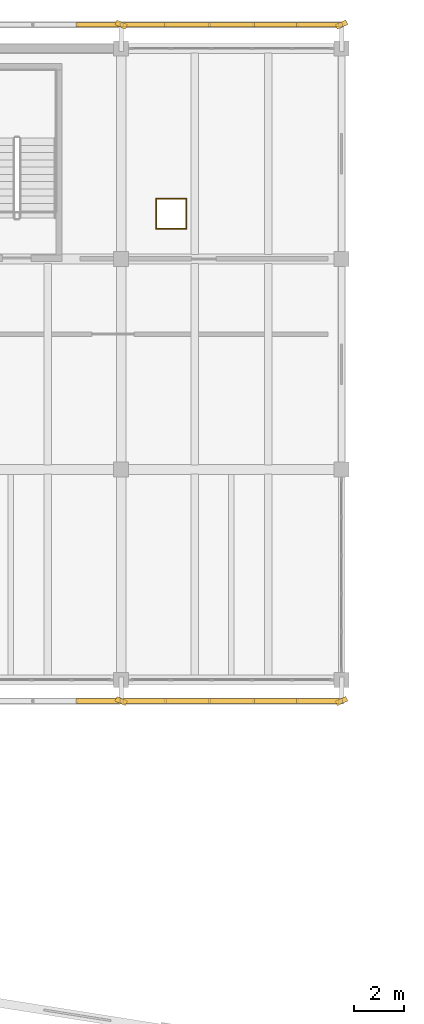
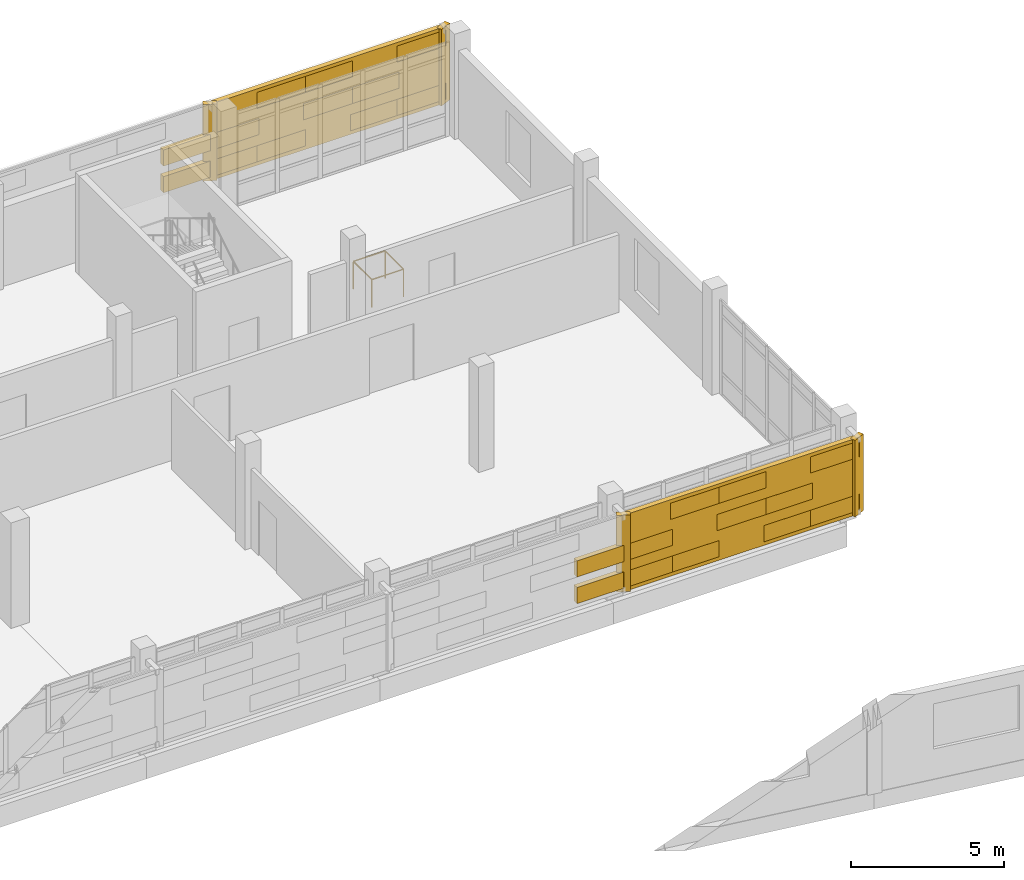
# One storey, part 137 of 137: 28 coverings, 4 railings, 2 shading devices.
"""IFC4 building model written with IfcOpenShell, lengths in metres."""

from ifc_helpers import new_model, si_unit, direction, frame, origin, origin_2d, place, context, subcontext, project, spatial, rectangle, circle, extrude, material, layer, layer_set, type_object, element, save


model = new_model("IFC4")

# Units and contexts
model_context = context("Model", 3, precision=1e-05, world=origin(), true_north=direction((0.0, 1.0)))
body_context = subcontext(model_context, "Body", "Model", "MODEL_VIEW")
ifc_project = project(units=[si_unit("LENGTHUNIT", "METRE"), si_unit("AREAUNIT", "SQUARE_METRE"), si_unit("VOLUMEUNIT", "CUBIC_METRE"), si_unit("PLANEANGLEUNIT", "RADIAN"), si_unit("MASSUNIT", "GRAM", prefix="KILO")], contexts=[model_context])

# Site, building, storey
site_placement = place(None, origin())
site = spatial("IfcSite", under=ifc_project, at=site_placement, CompositionType="ELEMENT")
building_placement = place(site_placement, origin())
building = spatial("IfcBuilding", under=site, at=building_placement, Name="Cinderway Yard Community Centre", CompositionType="ELEMENT")
storey_placement = place(building_placement, frame((0.0, 0.0, 4.800048828125)))
storey = spatial("IfcBuildingStorey", under=building, at=storey_placement, Name="L01", CompositionType="ELEMENT", Elevation=4.800048828125)

# Coverings
ifc_material_1 = material(Name="Brick Masonry", Category="masonry")
ifc_layer = layer(ifc_material_1, 0.18994140625, Name="Brick Masonry")
ifc_layer_set = layer_set([ifc_layer], Name="Brick Masonry")
covering_type = type_object("IfcCoveringType", Name="ENV-COV-BRK-SCREEN", PredefinedType="CLADDING", material=ifc_layer_set)
for number, where, z_axis, x_axis, name in (
    (1, (136.800048828125, 116.14990234375, 0.64990234375), (0.0, 0.0, 1.0), (0.913545457643, -0.406736643076, 0.0), "Deconstructivist folded brick fin 0012"),
    (2, (145.60009765625, 116.14990234375, 0.64990234375), (0.0, 0.0, 1.0), (0.913545457643, 0.406736643076, 0.0), "Deconstructivist folded brick fin 0013"),
):
    element("IfcCovering", number, at=place(storey_placement, frame(where, z_axis=z_axis, x_axis=x_axis)), inside=storey, type_object=covering_type, Name=name, PredefinedType="CLADDING", context=body_context, shape_type="SweptSolid", body=[
        extrude(rectangle(XDim=0.4599609375, YDim=0.199951171875, at=origin_2d()), origin(), (0.0, 0.0, 1.0), 3.050048828125),
    ])
for number, where, z_axis, x_axis, name in (
    (3, (135.919921875, 116.14990234375, 0.7900390625), (0.0, 0.0, 1.0), (1.0, 0.0, 0.0), "Open-bond perforated brick screen course 00116"),
    (4, (135.919921875, 116.14990234375, 1.85205078125), (0.0, 0.0, 1.0), (1.0, 0.0, 0.0), "Open-bond perforated brick screen course 00120"),
    (5, (137.679931640625, 116.14990234375, 0.7900390625), (0.0, 0.0, 1.0), (1.0, 0.0, 0.0), "Open-bond perforated brick screen course 00124"),
    (6, (139.43994140625, 116.14990234375, 0.7900390625), (0.0, 0.0, 1.0), (1.0, 0.0, 0.0), "Open-bond perforated brick screen course 00125"),
    (7, (142.9599609375, 116.14990234375, 0.7900390625), (0.0, 0.0, 1.0), (1.0, 0.0, 0.0), "Open-bond perforated brick screen course 00126"),
    (8, (144.719970703125, 116.14990234375, 0.7900390625), (0.0, 0.0, 1.0), (1.0, 0.0, 0.0), "Open-bond perforated brick screen course 00127"),
    (9, (137.679931640625, 116.14990234375, 1.85205078125), (0.0, 0.0, 1.0), (1.0, 0.0, 0.0), "Open-bond perforated brick screen course 00128"),
    (10, (141.199951171875, 116.14990234375, 1.85205078125), (0.0, 0.0, 1.0), (1.0, 0.0, 0.0), "Open-bond perforated brick screen course 00129"),
    (11, (142.9599609375, 116.14990234375, 1.85205078125), (0.0, 0.0, 1.0), (1.0, 0.0, 0.0), "Open-bond perforated brick screen course 00130"),
    (12, (139.43994140625, 116.14990234375, 2.9140625), (0.0, 0.0, 1.0), (1.0, 0.0, 0.0), "Open-bond perforated brick screen course 00131"),
    (13, (141.199951171875, 116.14990234375, 2.9140625), (0.0, 0.0, 1.0), (1.0, 0.0, 0.0), "Open-bond perforated brick screen course 00132"),
    (14, (144.719970703125, 116.14990234375, 2.9140625), (0.0, 0.0, 1.0), (1.0, 0.0, 0.0), "Open-bond perforated brick screen course 00133"),
):
    element("IfcCovering", number, at=place(storey_placement, frame(where, z_axis=z_axis, x_axis=x_axis)), inside=storey, type_object=covering_type, Name=name, PredefinedType="CLADDING", context=body_context, shape_type="SweptSolid", body=[
        extrude(rectangle(XDim=1.840087890625, YDim=0.18994140625, at=origin_2d()), origin(), (0.0, 0.0, 1.0), 0.64599609375),
    ])
for number, where, z_axis, x_axis, name in (
    (15, (136.800048828125, 89.14990234375, 0.64990234375), (0.0, 0.0, 1.0), (-0.913545457643, 0.406736643076, 0.0), "Deconstructivist folded brick fin 0445"),
    (16, (145.60009765625, 89.14990234375, 0.64990234375), (0.0, 0.0, 1.0), (-0.913545457643, -0.406736643076, 0.0), "Deconstructivist folded brick fin 0446"),
):
    element("IfcCovering", number, at=place(storey_placement, frame(where, z_axis=z_axis, x_axis=x_axis)), inside=storey, type_object=covering_type, Name=name, PredefinedType="CLADDING", context=body_context, shape_type="SweptSolid", body=[
        extrude(rectangle(XDim=0.4599609375, YDim=0.199951171875, at=origin_2d()), origin(), (0.0, 0.0, 1.0), 3.050048828125),
    ])
for number, where, z_axis, x_axis, name in (
    (17, (135.919921875, 89.14990234375, 0.7900390625), (0.0, 0.0, 1.0), (-1.0, 0.0, 0.0), "Open-bond perforated brick screen course 00549"),
    (18, (135.919921875, 89.14990234375, 1.85205078125), (0.0, 0.0, 1.0), (-1.0, 0.0, 0.0), "Open-bond perforated brick screen course 00553"),
    (19, (137.679931640625, 89.14990234375, 0.7900390625), (0.0, 0.0, 1.0), (-1.0, 0.0, 0.0), "Open-bond perforated brick screen course 00557"),
    (20, (139.43994140625, 89.14990234375, 0.7900390625), (0.0, 0.0, 1.0), (-1.0, 0.0, 0.0), "Open-bond perforated brick screen course 00558"),
    (21, (142.9599609375, 89.14990234375, 0.7900390625), (0.0, 0.0, 1.0), (-1.0, 0.0, 0.0), "Open-bond perforated brick screen course 00559"),
    (22, (144.719970703125, 89.14990234375, 0.7900390625), (0.0, 0.0, 1.0), (-1.0, 0.0, 0.0), "Open-bond perforated brick screen course 00560"),
    (23, (137.679931640625, 89.14990234375, 1.85205078125), (0.0, 0.0, 1.0), (-1.0, 0.0, 0.0), "Open-bond perforated brick screen course 00561"),
    (24, (141.199951171875, 89.14990234375, 1.85205078125), (0.0, 0.0, 1.0), (-1.0, 0.0, 0.0), "Open-bond perforated brick screen course 00562"),
    (25, (142.9599609375, 89.14990234375, 1.85205078125), (0.0, 0.0, 1.0), (-1.0, 0.0, 0.0), "Open-bond perforated brick screen course 00563"),
    (26, (139.43994140625, 89.14990234375, 2.9140625), (0.0, 0.0, 1.0), (-1.0, 0.0, 0.0), "Open-bond perforated brick screen course 00564"),
    (27, (141.199951171875, 89.14990234375, 2.9140625), (0.0, 0.0, 1.0), (-1.0, 0.0, 0.0), "Open-bond perforated brick screen course 00565"),
    (28, (144.719970703125, 89.14990234375, 2.9140625), (0.0, 0.0, 1.0), (-1.0, 0.0, 0.0), "Open-bond perforated brick screen course 00566"),
):
    element("IfcCovering", number, at=place(storey_placement, frame(where, z_axis=z_axis, x_axis=x_axis)), inside=storey, type_object=covering_type, Name=name, PredefinedType="CLADDING", context=body_context, shape_type="SweptSolid", body=[
        extrude(rectangle(XDim=1.840087890625, YDim=0.18994140625, at=origin_2d()), origin(), (0.0, 0.0, 1.0), 0.64599609375),
    ])

# Shading devices
shading_device_type = type_object("IfcShadingDeviceType", Name="ENV-SHD-BRICKSCREEN-A", PredefinedType="USERDEFINED", material=ifc_material_1)
for number, where, z_axis, x_axis, name in (
    (29, (141.199951171875, 116.14990234375, 0.64990234375), (0.0, 0.0, 1.0), (1.0, 0.0, 0.0), "Street Perforated Brick Screen 0097"),
    (30, (141.199951171875, 89.14990234375, 0.64990234375), (0.0, 0.0, 1.0), (-1.0, 0.0, 0.0), "V4 Courtyard Perforated Brick Screen 0413"),
):
    element("IfcShadingDevice", number, at=place(storey_placement, frame(where, z_axis=z_axis, x_axis=x_axis)), inside=storey, type_object=shading_device_type, Name=name, ObjectType="PERFORATED BRICK SCREEN", PredefinedType="USERDEFINED", context=body_context, shape_type="SweptSolid", body=[
        extrude(rectangle(XDim=8.60009765625, YDim=0.18994140625, at=origin_2d()), origin(), (0.0, 0.0, 1.0), 3.050048828125),
    ])

# Railings
ifc_material_2 = material(Name="Painted Galvanised Steel", Category="steel")
railing_type = type_object("IfcRailingType", Name="INT-RAL-GRD112", PredefinedType="GUARDRAIL", material=ifc_material_2)
railing_1_placement = place(storey_placement, frame((138.199951171875, 108.0, 0.0)))
element("IfcRailing", 31, at=railing_1_placement, inside=storey, type_object=railing_type, Name="Service void perimeter guard L01 111", PredefinedType="GUARDRAIL", context=body_context, shape_type="SweptSolid", body=[
    extrude(circle(Radius=0.02392578125, at=origin_2d()), frame((0.0, 0.0, 1.09619140625), z_axis=(1.0, 0.0, 0.0), x_axis=(0.0, 1.0, 0.0)), (0.0, 0.0, 1.0), 1.199951171875),
    extrude(circle(Radius=0.02099609375, at=origin_2d()), origin(), (0.0, 0.0, 1.0), 1.072021484375),
    extrude(circle(Radius=0.02099609375, at=origin_2d()), frame((1.199951171875, 0.0, 0.0)), (0.0, 0.0, 1.0), 1.072021484375),
])
railing_2_placement = place(storey_placement, frame((139.39990234375, 108.0, 0.0)))
element("IfcRailing", 32, at=railing_2_placement, inside=storey, type_object=railing_type, Name="Service void perimeter guard L01 112", PredefinedType="GUARDRAIL", context=body_context, shape_type="SweptSolid", body=[
    extrude(circle(Radius=0.02392578125, at=origin_2d()), frame((0.0, 0.0, 1.09619140625), z_axis=(0.0, 1.0, 0.0), x_axis=(-1.0, 0.0, 0.0)), (0.0, 0.0, 1.0), 1.199951171875),
    extrude(circle(Radius=0.02099609375, at=origin_2d()), origin(), (0.0, 0.0, 1.0), 1.072021484375),
    extrude(circle(Radius=0.02099609375, at=origin_2d()), frame((0.0, 1.199951171875, 0.0)), (0.0, 0.0, 1.0), 1.072021484375),
])
railing_3_placement = place(storey_placement, frame((139.39990234375, 109.199951171875, 0.0)))
element("IfcRailing", 33, at=railing_3_placement, inside=storey, type_object=railing_type, Name="Service void perimeter guard L01 113", PredefinedType="GUARDRAIL", context=body_context, shape_type="SweptSolid", body=[
    extrude(circle(Radius=0.02392578125, at=origin_2d()), frame((0.0, 0.0, 1.09619140625), z_axis=(-1.0, 0.0, 0.0), x_axis=(0.0, -1.0, 0.0)), (0.0, 0.0, 1.0), 1.199951171875),
    extrude(circle(Radius=0.02099609375, at=origin_2d()), origin(), (0.0, 0.0, 1.0), 1.072021484375),
    extrude(circle(Radius=0.02099609375, at=origin_2d()), frame((-1.199951171875, 0.0, 0.0)), (0.0, 0.0, 1.0), 1.072021484375),
])
railing_4_placement = place(storey_placement, frame((138.199951171875, 109.199951171875, 0.0)))
element("IfcRailing", 34, at=railing_4_placement, inside=storey, type_object=railing_type, Name="Service void perimeter guard L01 114", PredefinedType="GUARDRAIL", context=body_context, shape_type="SweptSolid", body=[
    extrude(circle(Radius=0.02392578125, at=origin_2d()), frame((0.0, 0.0, 1.09619140625), z_axis=(0.0, -1.0, 0.0), x_axis=(1.0, 0.0, 0.0)), (0.0, 0.0, 1.0), 1.199951171875),
    extrude(circle(Radius=0.02099609375, at=origin_2d()), origin(), (0.0, 0.0, 1.0), 1.072021484375),
    extrude(circle(Radius=0.02099609375, at=origin_2d()), frame((0.0, -1.199951171875, 0.0)), (0.0, 0.0, 1.0), 1.072021484375),
])

save(model, "model.ifc")
